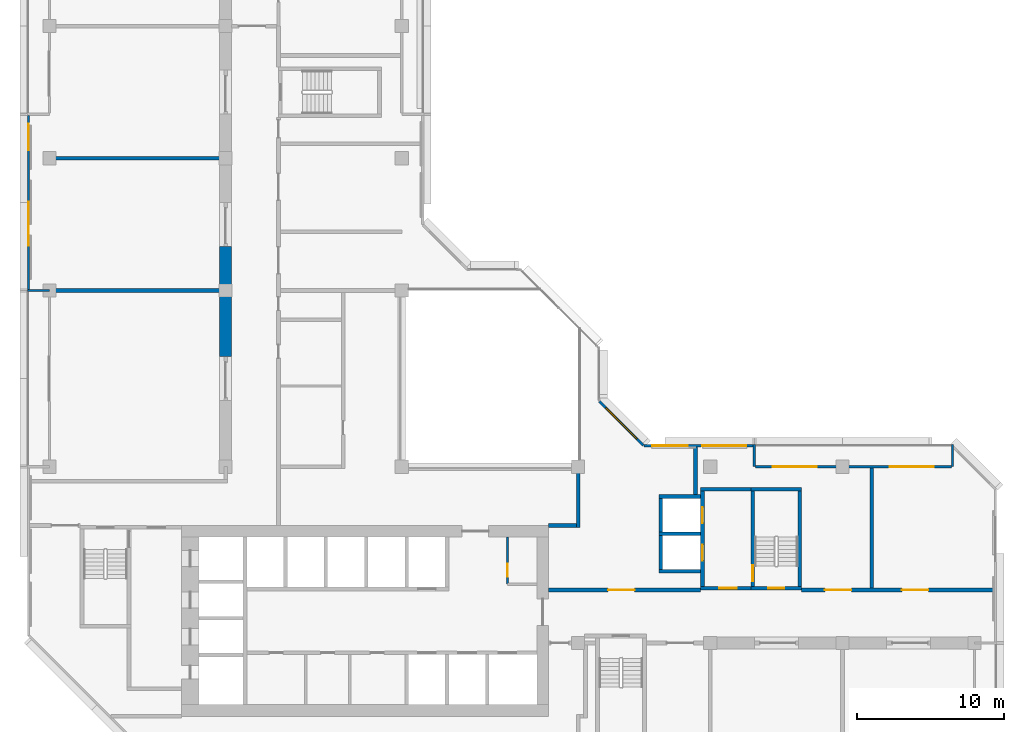
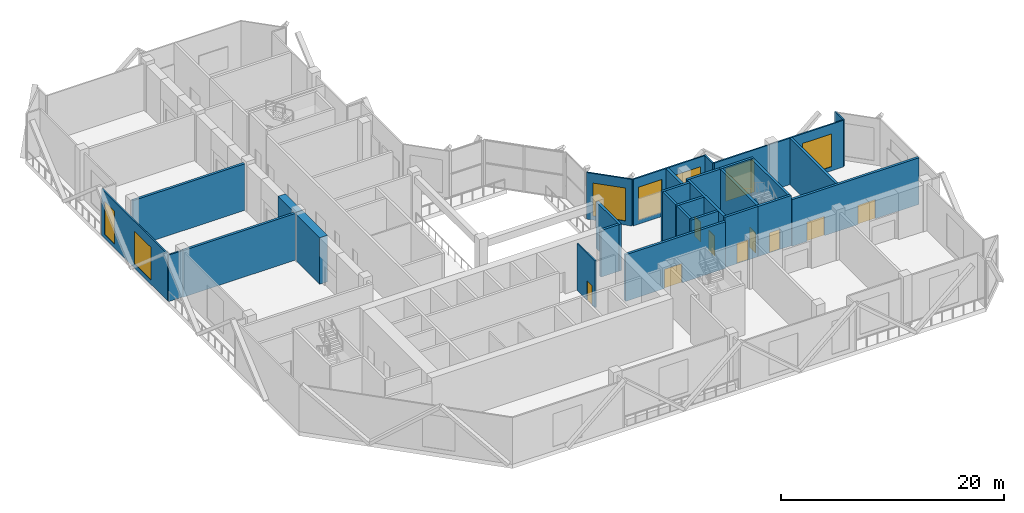
# One storey, part 6 of 11: 30 walls, 9 doors, 7 windows, 16 openings.
"""IFC4 building model written with IfcOpenShell, lengths in metres."""

from ifc_helpers import new_model, si_unit, direction, frame, frame_2d, origin, place, context, subcontext, project, spatial, rectangle, extrude, material, layer, layer_set, type_object, element, fill, save


model = new_model("IFC4")

# Units and contexts
model_context = context("Model", 3, precision=1e-05, world=origin(), true_north=direction((0.0, 1.0)))
body_context = subcontext(model_context, "Body", "Model", "MODEL_VIEW")
ifc_project = project(units=[si_unit("LENGTHUNIT", "METRE"), si_unit("AREAUNIT", "SQUARE_METRE"), si_unit("VOLUMEUNIT", "CUBIC_METRE"), si_unit("PLANEANGLEUNIT", "RADIAN"), si_unit("MASSUNIT", "GRAM", prefix="KILO")], contexts=[model_context])

# Site, building, storey
site_placement = place(None, origin())
site = spatial("IfcSite", under=ifc_project, at=site_placement, CompositionType="ELEMENT")
building_placement = place(site_placement, origin())
building = spatial("IfcBuilding", under=site, at=building_placement, Name="Chenar Terraces", CompositionType="ELEMENT")
storey_placement = place(building_placement, frame((0.0, 0.0, 206.14990234375)))
storey = spatial("IfcBuildingStorey", under=building, at=storey_placement, Name="L48", CompositionType="ELEMENT", Elevation=206.14990234375)

# Walls
ifc_material_1 = material(Name="Concrete C60/75", Category="concrete")
ifc_layer_1 = layer(ifc_material_1, 0.800048828125)
ifc_layer_set_1 = layer_set([ifc_layer_1], Name="Concrete C60/75")
wall_type_1 = type_object("IfcWallType", Name="Belt wall 800 Concrete C60/75", PredefinedType="SHEAR", material=ifc_layer_set_1)
wall_1_placement = place(storey_placement, frame((12.0, 31.5, 0.0), z_axis=(0.0, 0.0, 1.0), x_axis=(0.0, 1.0, 0.0)))
element("IfcWall", 1, at=wall_1_placement, inside=storey, type_object=wall_type_1, Name="Belt wall L48 B1", PredefinedType="SHEAR", context=body_context, shape_type="SweptSolid", body=[
    extrude(rectangle(XDim=4.5, YDim=0.800048828125, at=frame_2d((2.25, 0.0))), origin(), (0.0, 0.0, 1.0), 5.10009765625),
])
wall_2_placement = place(storey_placement, frame((12.0, 36.0, 0.0), z_axis=(0.0, 0.0, 1.0), x_axis=(0.0, 1.0, 0.0)))
element("IfcWall", 2, at=wall_2_placement, inside=storey, type_object=wall_type_1, Name="Belt wall L48 B2", PredefinedType="SHEAR", context=body_context, shape_type="SweptSolid", body=[
    extrude(rectangle(XDim=3.0, YDim=0.800048828125, at=frame_2d((1.5, 0.0))), origin(), (0.0, 0.0, 1.0), 5.10009765625),
])

# Wall, opening, door
ifc_material_2 = material(Name="Gypsum board on steel studs", Category="steel")
ifc_layer_2 = layer(ifc_material_2, 0.14990234375)
ifc_layer_set_2 = layer_set([ifc_layer_2], Name="Gypsum board on steel studs")
wall_type_2 = type_object("IfcWallType", Name="Core partition 150 gypsum board", PredefinedType="PARTITIONING", material=ifc_layer_set_2)
wall_3_placement = place(storey_placement, frame((31.199951171875, 16.0, 0.0), z_axis=(0.0, 0.0, 1.0), x_axis=(0.0, 1.0, 0.0)))
wall_3 = element("IfcWall", 3, at=wall_3_placement, inside=storey, type_object=wall_type_2, Name="Core partition CP1 vestibule room west wall", PredefinedType="PARTITIONING", context=body_context, shape_type="SweptSolid", body=[
    extrude(rectangle(XDim=3.199951171875, YDim=0.14990234375, at=frame_2d((1.60009765625, 0.0))), origin(), (0.0, 0.0, 1.0), 5.10009765625),
])
opening_1_placement = place(wall_3_placement, frame((0.5, 0.0, 0.0)))
opening_1 = element("IfcOpeningElement", 4, at=opening_1_placement, cuts=wall_3, Name="Opening DL48-C15", PredefinedType="OPENING", context=body_context, shape_type="SweptSolid", body=[
    extrude(rectangle(XDim=0.89990234375, YDim=2.10009765625, at=frame_2d((0.449951171875, 1.050048828125))), frame((0.0, 0.0849609375, 0.0), z_axis=(0.0, -1.0, 0.0), x_axis=(1.0, 0.0, 0.0)), (0.0, 0.0, 1.0), 0.169921875),
])
ifc_material_3 = material(Name="Steel-framed fire-resisting door leaf", Category="steel")
door_type_1 = type_object("IfcDoorType", Name="Riser fire door FD60 900 x 2100", OperationType="SINGLE_SWING_LEFT", PredefinedType="DOOR", material=ifc_material_3)
door_1_placement = place(opening_1_placement, frame((0.89990234375, 0.0, 0.0), z_axis=(0.0, 0.0, 1.0), x_axis=(-1.0, 0.0, 0.0)))
door_1 = element("IfcDoor", 5, at=door_1_placement, inside=storey, type_object=door_type_1, Name="Core room door DL48-C15", OperationType="SINGLE_SWING_RIGHT", OverallHeight=2.10009765625, OverallWidth=0.89990234375, PredefinedType="DOOR", context=body_context, shape_type="SweptSolid", body=[
    extrude(rectangle(XDim=0.89990234375, YDim=2.10009765625, at=frame_2d((0.449951171875, 1.050048828125))), frame((0.0, 0.02490234375, 0.0), z_axis=(0.0, -1.0, 0.0), x_axis=(1.0, 0.0, 0.0)), (0.0, 0.0, 1.0), 0.050048828125),
])
fill(opening_1, door_1)

ifc_material_4 = material(Name="Concrete C60/75", Category="concrete")
ifc_layer_3 = layer(ifc_material_4, 0.25)
ifc_layer_set_3 = layer_set([ifc_layer_3], Name="Concrete C60/75")
wall_type_3 = type_object("IfcWallType", Name="Core wall 250 Concrete C60/75", PredefinedType="SHEAR", material=ifc_layer_set_3)
wall_4_placement = place(storey_placement, frame((47.77490234375, 15.72509765625, 0.0), z_axis=(0.0, 0.0, 1.0), x_axis=(1.0, 0.0, 0.0)))
wall_4 = element("IfcWall", 6, at=wall_4_placement, inside=storey, type_object=wall_type_3, Name="Core wall ST3_S L48", PredefinedType="SHEAR", context=body_context, shape_type="SweptSolid", body=[
    extrude(rectangle(XDim=3.4501953125, YDim=0.25, at=frame_2d((1.72509765625, 0.0))), origin(), (0.0, 0.0, 1.0), 5.5),
])
opening_2_placement = place(wall_4_placement, frame((1.175048828125, 0.0, 0.0)))
opening_2 = element("IfcOpeningElement", 7, at=opening_2_placement, cuts=wall_4, Name="Opening DL48-C8", PredefinedType="OPENING", context=body_context, shape_type="SweptSolid", body=[
    extrude(rectangle(XDim=1.10009765625, YDim=2.199951171875, at=frame_2d((0.550048828125, 1.10009765625))), frame((0.0, 0.135009765625, 0.0), z_axis=(0.0, -1.0, 0.0), x_axis=(1.0, 0.0, 0.0)), (0.0, 0.0, 1.0), 0.27001953125),
])
ifc_material_5 = material(Name="Steel-framed fire-resisting door leaf", Category="steel")
door_type_2 = type_object("IfcDoorType", Name="Stair fire door FD60 1100 x 2200", OperationType="SINGLE_SWING_LEFT", PredefinedType="DOOR", material=ifc_material_5)
door_2_placement = place(opening_2_placement, frame((1.10009765625, 0.0, 0.0), z_axis=(0.0, 0.0, 1.0), x_axis=(-1.0, 0.0, 0.0)))
door_2 = element("IfcDoor", 8, at=door_2_placement, inside=storey, type_object=door_type_2, Name="Stair door DL48-C8", OperationType="SINGLE_SWING_LEFT", OverallHeight=2.199951171875, OverallWidth=1.10009765625, PredefinedType="DOOR", context=body_context, shape_type="SweptSolid", body=[
    extrude(rectangle(XDim=1.10009765625, YDim=2.199951171875, at=frame_2d((0.550048828125, 1.10009765625))), frame((0.0, 0.02490234375, 0.0), z_axis=(0.0, -1.0, 0.0), x_axis=(1.0, 0.0, 0.0)), (0.0, 0.0, 1.0), 0.050048828125),
])
fill(opening_2, door_2)

# Wall
wall_5_placement = place(storey_placement, frame((47.77490234375, 22.47509765625, 0.0), z_axis=(0.0, 0.0, 1.0), x_axis=(1.0, 0.0, 0.0)))
element("IfcWall", 9, at=wall_5_placement, inside=storey, type_object=wall_type_3, Name="Core wall ST3_N L48", PredefinedType="SHEAR", context=body_context, shape_type="SweptSolid", body=[
    extrude(rectangle(XDim=3.4501953125, YDim=0.25, at=frame_2d((1.72509765625, 0.0))), origin(), (0.0, 0.0, 1.0), 5.5),
])

# Wall, opening, door
wall_6_placement = place(storey_placement, frame((47.89990234375, 15.85009765625, 0.0), z_axis=(0.0, 0.0, 1.0), x_axis=(0.0, 1.0, 0.0)))
wall_6 = element("IfcWall", 10, at=wall_6_placement, inside=storey, type_object=wall_type_3, Name="Core wall ST3_W L48", PredefinedType="SHEAR", context=body_context, shape_type="SweptSolid", body=[
    extrude(rectangle(XDim=6.5, YDim=0.25, at=frame_2d((3.25, 0.0))), origin(), (0.0, 0.0, 1.0), 5.5),
])
opening_3_placement = place(wall_6_placement, frame((0.35009765625, 0.0, 0.0)))
opening_3 = element("IfcOpeningElement", 11, at=opening_3_placement, cuts=wall_6, Name="Opening DL48-C11", PredefinedType="OPENING", context=body_context, shape_type="SweptSolid", body=[
    extrude(rectangle(XDim=1.10009765625, YDim=2.199951171875, at=frame_2d((0.550048828125, 1.10009765625))), frame((0.0, 0.135009765625, 0.0), z_axis=(0.0, -1.0, 0.0), x_axis=(1.0, 0.0, 0.0)), (0.0, 0.0, 1.0), 0.27001953125),
])
door_3_placement = place(opening_3_placement, frame((1.10009765625, 0.0, 0.0), z_axis=(0.0, 0.0, 1.0), x_axis=(-1.0, 0.0, 0.0)))
door_3 = element("IfcDoor", 12, at=door_3_placement, inside=storey, type_object=door_type_2, Name="Stair door DL48-C11", OperationType="SINGLE_SWING_RIGHT", OverallHeight=2.199951171875, OverallWidth=1.10009765625, PredefinedType="DOOR", context=body_context, shape_type="SweptSolid", body=[
    extrude(rectangle(XDim=1.10009765625, YDim=2.199951171875, at=frame_2d((0.550048828125, 1.10009765625))), frame((0.0, 0.02490234375, 0.0), z_axis=(0.0, -1.0, 0.0), x_axis=(1.0, 0.0, 0.0)), (0.0, 0.0, 1.0), 0.050048828125),
])
fill(opening_3, door_3)

# Wall
wall_7_placement = place(storey_placement, frame((51.10009765625, 15.85009765625, 0.0), z_axis=(0.0, 0.0, 1.0), x_axis=(0.0, 1.0, 0.0)))
element("IfcWall", 13, at=wall_7_placement, inside=storey, type_object=wall_type_3, Name="Core wall ST3_E L48", PredefinedType="SHEAR", context=body_context, shape_type="SweptSolid", body=[
    extrude(rectangle(XDim=6.5, YDim=0.25, at=frame_2d((3.25, 0.0))), origin(), (0.0, 0.0, 1.0), 5.5),
])

# Wall, opening, door
wall_8_placement = place(storey_placement, frame((44.35009765625, 15.72509765625, 0.0), z_axis=(0.0, 0.0, 1.0), x_axis=(1.0, 0.0, 0.0)))
wall_8 = element("IfcWall", 14, at=wall_8_placement, inside=storey, type_object=wall_type_3, Name="Core wall F3_LS L48", PredefinedType="SHEAR", context=body_context, shape_type="SweptSolid", body=[
    extrude(rectangle(XDim=3.4248046875, YDim=0.25, at=frame_2d((1.71240234375, 0.0))), origin(), (0.0, 0.0, 1.0), 5.5),
])
opening_4_placement = place(wall_8_placement, frame((1.25, 0.0, 0.0)))
opening_4 = element("IfcOpeningElement", 15, at=opening_4_placement, cuts=wall_8, Name="Opening DL48-C10", PredefinedType="OPENING", context=body_context, shape_type="SweptSolid", body=[
    extrude(rectangle(XDim=1.199951171875, YDim=2.199951171875, at=frame_2d((0.60009765625, 1.10009765625))), frame((0.0, 0.135009765625, 0.0), z_axis=(0.0, -1.0, 0.0), x_axis=(1.0, 0.0, 0.0)), (0.0, 0.0, 1.0), 0.27001953125),
])
ifc_material_6 = material(Name="Steel-framed fire-resisting door leaf", Category="steel")
door_type_3 = type_object("IfcDoorType", Name="Lobby fire door FD60 1200 x 2200", OperationType="SINGLE_SWING_LEFT", PredefinedType="DOOR", material=ifc_material_6)
door_4_placement = place(opening_4_placement, origin())
door_4 = element("IfcDoor", 16, at=door_4_placement, inside=storey, type_object=door_type_3, Name="Core door DL48-C10", OperationType="SINGLE_SWING_RIGHT", OverallHeight=2.199951171875, OverallWidth=1.199951171875, PredefinedType="DOOR", context=body_context, shape_type="SweptSolid", body=[
    extrude(rectangle(XDim=1.199951171875, YDim=2.199951171875, at=frame_2d((0.60009765625, 1.10009765625))), frame((0.0, 0.02490234375, 0.0), z_axis=(0.0, -1.0, 0.0), x_axis=(1.0, 0.0, 0.0)), (0.0, 0.0, 1.0), 0.050048828125),
])
fill(opening_4, door_4)

# Wall
wall_9_placement = place(storey_placement, frame((44.35009765625, 22.47509765625, 0.0), z_axis=(0.0, 0.0, 1.0), x_axis=(1.0, 0.0, 0.0)))
element("IfcWall", 17, at=wall_9_placement, inside=storey, type_object=wall_type_3, Name="Core wall F3_LN L48", PredefinedType="SHEAR", context=body_context, shape_type="SweptSolid", body=[
    extrude(rectangle(XDim=3.4248046875, YDim=0.25, at=frame_2d((1.71240234375, 0.0))), origin(), (0.0, 0.0, 1.0), 5.5),
])

# Wall, openings, doors
wall_10_placement = place(storey_placement, frame((44.47509765625, 15.85009765625, 0.0), z_axis=(0.0, 0.0, 1.0), x_axis=(0.0, 1.0, 0.0)))
wall_10 = element("IfcWall", 18, at=wall_10_placement, inside=storey, type_object=wall_type_3, Name="Core wall F3_LW L48", PredefinedType="SHEAR", context=body_context, shape_type="SweptSolid", body=[
    extrude(rectangle(XDim=6.5, YDim=0.25, at=frame_2d((3.25, 0.0))), origin(), (0.0, 0.0, 1.0), 5.5),
])
opening_5_placement = place(wall_10_placement, frame((1.75, 0.0, 0.0)))
opening_5 = element("IfcOpeningElement", 19, at=opening_5_placement, cuts=wall_10, Name="Opening DL48-LD8", PredefinedType="OPENING", context=body_context, shape_type="SweptSolid", body=[
    extrude(rectangle(XDim=1.10009765625, YDim=2.199951171875, at=frame_2d((0.550048828125, 1.10009765625))), frame((0.0, 0.135009765625, 0.0), z_axis=(0.0, -1.0, 0.0), x_axis=(1.0, 0.0, 0.0)), (0.0, 0.0, 1.0), 0.27001953125),
])
opening_6_placement = place(wall_10_placement, frame((4.300048828125, 0.0, 0.0)))
opening_6 = element("IfcOpeningElement", 20, at=opening_6_placement, cuts=wall_10, Name="Opening DL48-LD9", PredefinedType="OPENING", context=body_context, shape_type="SweptSolid", body=[
    extrude(rectangle(XDim=1.10009765625, YDim=2.199951171875, at=frame_2d((0.550048828125, 1.10009765625))), frame((0.0, 0.135009765625, 0.0), z_axis=(0.0, -1.0, 0.0), x_axis=(1.0, 0.0, 0.0)), (0.0, 0.0, 1.0), 0.27001953125),
])
ifc_material_7 = material(Name="Stainless steel", Category="steel")
door_type_4 = type_object("IfcDoorType", Name="Lift landing door 1100 x 2200 sliding", OperationType="DOUBLE_DOOR_SLIDING", PredefinedType="DOOR", material=ifc_material_7)
door_5_placement = place(opening_5_placement, origin())
door_5 = element("IfcDoor", 21, at=door_5_placement, inside=storey, type_object=door_type_4, Name="Landing door F3", OperationType="DOUBLE_DOOR_SLIDING", OverallHeight=2.199951171875, OverallWidth=1.10009765625, PredefinedType="DOOR", context=body_context, shape_type="SweptSolid", body=[
    extrude(rectangle(XDim=1.10009765625, YDim=2.199951171875, at=frame_2d((0.550048828125, 1.10009765625))), frame((0.0, 0.02490234375, 0.0), z_axis=(0.0, -1.0, 0.0), x_axis=(1.0, 0.0, 0.0)), (0.0, 0.0, 1.0), 0.050048828125),
])
fill(opening_5, door_5)
door_6_placement = place(opening_6_placement, origin())
door_6 = element("IfcDoor", 22, at=door_6_placement, inside=storey, type_object=door_type_4, Name="Landing door F4", OperationType="DOUBLE_DOOR_SLIDING", OverallHeight=2.199951171875, OverallWidth=1.10009765625, PredefinedType="DOOR", context=body_context, shape_type="SweptSolid", body=[
    extrude(rectangle(XDim=1.10009765625, YDim=2.199951171875, at=frame_2d((0.550048828125, 1.10009765625))), frame((0.0, 0.02490234375, 0.0), z_axis=(0.0, -1.0, 0.0), x_axis=(1.0, 0.0, 0.0)), (0.0, 0.0, 1.0), 0.050048828125),
])
fill(opening_6, door_6)

# Walls
for number, where, z_axis, x_axis, name in (
    (23, (41.5, 16.875, 0.0), (0.0, 0.0, 1.0), (1.0, 0.0, 0.0), "Core wall F3_SS L48"),
    (24, (41.5, 19.425048828125, 0.0), (0.0, 0.0, 1.0), (1.0, 0.0, 0.0), "Core wall F3_SM L48"),
    (25, (41.5, 21.97509765625, 0.0), (0.0, 0.0, 1.0), (1.0, 0.0, 0.0), "Core wall F4_SN L48"),
):
    element("IfcWall", number, at=place(storey_placement, frame(where, z_axis=z_axis, x_axis=x_axis)), inside=storey, type_object=wall_type_3, Name=name, PredefinedType="SHEAR", context=body_context, shape_type="SweptSolid", body=[
        extrude(rectangle(XDim=2.85009765625, YDim=0.25, at=frame_2d((1.425048828125, 0.0))), origin(), (0.0, 0.0, 1.0), 5.5),
    ])
for number, where, z_axis, x_axis, name in (
    (26, (41.625, 17.0, 0.0), (0.0, 0.0, 1.0), (0.0, 1.0, 0.0), "Core wall F3_SW L48"),
    (27, (41.625, 19.550048828125, 0.0), (0.0, 0.0, 1.0), (0.0, 1.0, 0.0), "Core wall F4_SW L48"),
):
    element("IfcWall", number, at=place(storey_placement, frame(where, z_axis=z_axis, x_axis=x_axis)), inside=storey, type_object=wall_type_3, Name=name, PredefinedType="SHEAR", context=body_context, shape_type="SweptSolid", body=[
        extrude(rectangle(XDim=2.300048828125, YDim=0.25, at=frame_2d((1.14990234375, 0.0))), origin(), (0.0, 0.0, 1.0), 5.5),
    ])

# Wall, openings, windows
ifc_material_8 = material(Name="Aluminium framed glazing", Category="aluminium")
ifc_layer_4 = layer(ifc_material_8, 0.14990234375)
ifc_layer_set_4 = layer_set([ifc_layer_4], Name="Aluminium framed glazing")
wall_type_4 = type_object("IfcWallType", Name="Glazed flush facade wall 150", PredefinedType="SOLIDWALL", material=ifc_layer_set_4)
wall_11_placement = place(storey_placement, frame((47.925048828125, 25.425048828125, 0.0), z_axis=(0.0, 0.0, 1.0), x_axis=(-1.0, 0.0, 0.0)))
wall_11 = element("IfcWall", 28, at=wall_11_placement, inside=storey, type_object=wall_type_4, Name="Glazed flush facade wall", PredefinedType="SOLIDWALL", context=body_context, shape_type="SweptSolid", body=[
    extrude(rectangle(XDim=7.425048828125, YDim=0.14990234375, at=frame_2d((3.71240234375, 0.0))), origin(), (0.0, 0.0, 1.0), 5.10009765625),
])
opening_7_placement = place(wall_11_placement, frame((0.46240234375, 0.0, 0.449951171875)))
opening_7 = element("IfcOpeningElement", 29, at=opening_7_placement, cuts=wall_11, Name="Opening W300x360", PredefinedType="OPENING", context=body_context, shape_type="SweptSolid", body=[
    extrude(rectangle(XDim=3.0, YDim=3.60009765625, at=frame_2d((1.5, 1.800048828125))), frame((0.0, 0.0849609375, 0.0), z_axis=(0.0, -1.0, 0.0), x_axis=(1.0, 0.0, 0.0)), (0.0, 0.0, 1.0), 0.169921875),
])
opening_8_placement = place(wall_11_placement, frame((4.47509765625, 0.0, 0.449951171875)))
opening_8 = element("IfcOpeningElement", 30, at=opening_8_placement, cuts=wall_11, Name="Opening W240x360", PredefinedType="OPENING", context=body_context, shape_type="SweptSolid", body=[
    extrude(rectangle(XDim=2.39990234375, YDim=3.60009765625, at=frame_2d((1.199951171875, 1.800048828125))), frame((0.0, 0.0849609375, 0.0), z_axis=(0.0, -1.0, 0.0), x_axis=(1.0, 0.0, 0.0)), (0.0, 0.0, 1.0), 0.169921875),
])
ifc_material_9 = material(Name="Low emissivity double glazing, aluminium frame", Category="aluminium")
window_type_1 = type_object("IfcWindowType", Name="Fixed light 2400 x 3600", PartitioningType="SINGLE_PANEL", PredefinedType="WINDOW", material=ifc_material_9)
window_1_placement = place(opening_8_placement, origin())
window_1 = element("IfcWindow", 31, at=window_1_placement, inside=storey, type_object=window_type_1, Name="Window", OverallHeight=3.60009765625, OverallWidth=2.39990234375, PartitioningType="SINGLE_PANEL", PredefinedType="WINDOW", context=body_context, shape_type="SweptSolid", body=[
    extrude(rectangle(XDim=2.39990234375, YDim=3.60009765625, at=frame_2d((1.199951171875, 1.800048828125))), frame((0.0, 0.030029296875, 0.0), z_axis=(0.0, -1.0, 0.0), x_axis=(1.0, 0.0, 0.0)), (0.0, 0.0, 1.0), 0.06005859375),
])
fill(opening_8, window_1)
ifc_material_10 = material(Name="Low emissivity double glazing, aluminium frame", Category="aluminium")
window_type_2 = type_object("IfcWindowType", Name="Fixed light 3000 x 3600", PartitioningType="SINGLE_PANEL", PredefinedType="WINDOW", material=ifc_material_10)
window_2_placement = place(opening_7_placement, origin())
window_2 = element("IfcWindow", 32, at=window_2_placement, inside=storey, type_object=window_type_2, Name="Window", OverallHeight=3.60009765625, OverallWidth=3.0, PartitioningType="SINGLE_PANEL", PredefinedType="WINDOW", context=body_context, shape_type="SweptSolid", body=[
    extrude(rectangle(XDim=3.0, YDim=3.60009765625, at=frame_2d((1.5, 1.800048828125))), frame((0.0, 0.030029296875, 0.0), z_axis=(0.0, -1.0, 0.0), x_axis=(1.0, 0.0, 0.0)), (0.0, 0.0, 1.0), 0.06005859375),
])
fill(opening_7, window_2)

wall_12_placement = place(storey_placement, frame((-1.425048828125, 47.925048828125, 0.0), z_axis=(0.0, 0.0, 1.0), x_axis=(0.0, -1.0, 0.0)))
wall_12 = element("IfcWall", 33, at=wall_12_placement, inside=storey, type_object=wall_type_4, Name="Glazed flush facade wall", PredefinedType="SOLIDWALL", context=body_context, shape_type="SweptSolid", body=[
    extrude(rectangle(XDim=11.85009765625, YDim=0.14990234375, at=frame_2d((5.925048828125, 0.0))), origin(), (0.0, 0.0, 1.0), 5.10009765625),
])
opening_9_placement = place(wall_12_placement, frame((0.5625, 0.0, 0.449951171875)))
opening_9 = element("IfcOpeningElement", 34, at=opening_9_placement, cuts=wall_12, Name="Opening W180x360", PredefinedType="OPENING", context=body_context, shape_type="SweptSolid", body=[
    extrude(rectangle(XDim=1.800048828125, YDim=3.60009765625, at=frame_2d((0.89990234375, 1.800048828125))), frame((0.0, 0.0849609375, 0.0), z_axis=(0.0, -1.0, 0.0), x_axis=(1.0, 0.0, 0.0)), (0.0, 0.0, 1.0), 0.169921875),
])
opening_10_placement = place(wall_12_placement, frame((5.887451171875, 0.0, 0.449951171875)))
opening_10 = element("IfcOpeningElement", 35, at=opening_10_placement, cuts=wall_12, Name="Opening W300x360", PredefinedType="OPENING", context=body_context, shape_type="SweptSolid", body=[
    extrude(rectangle(XDim=3.0, YDim=3.60009765625, at=frame_2d((1.5, 1.800048828125))), frame((0.0, 0.0849609375, 0.0), z_axis=(0.0, -1.0, 0.0), x_axis=(1.0, 0.0, 0.0)), (0.0, 0.0, 1.0), 0.169921875),
])
ifc_material_11 = material(Name="Low emissivity double glazing, aluminium frame", Category="aluminium")
window_type_3 = type_object("IfcWindowType", Name="Fixed light 1800 x 3600", PartitioningType="SINGLE_PANEL", PredefinedType="WINDOW", material=ifc_material_11)
window_3_placement = place(opening_9_placement, origin())
window_3 = element("IfcWindow", 36, at=window_3_placement, inside=storey, type_object=window_type_3, Name="Window", OverallHeight=3.60009765625, OverallWidth=1.800048828125, PartitioningType="SINGLE_PANEL", PredefinedType="WINDOW", context=body_context, shape_type="SweptSolid", body=[
    extrude(rectangle(XDim=1.800048828125, YDim=3.60009765625, at=frame_2d((0.89990234375, 1.800048828125))), frame((0.0, 0.030029296875, 0.0), z_axis=(0.0, -1.0, 0.0), x_axis=(1.0, 0.0, 0.0)), (0.0, 0.0, 1.0), 0.06005859375),
])
fill(opening_9, window_3)
window_4_placement = place(opening_10_placement, origin())
window_4 = element("IfcWindow", 37, at=window_4_placement, inside=storey, type_object=window_type_2, Name="Window", OverallHeight=3.60009765625, OverallWidth=3.0, PartitioningType="SINGLE_PANEL", PredefinedType="WINDOW", context=body_context, shape_type="SweptSolid", body=[
    extrude(rectangle(XDim=3.0, YDim=3.60009765625, at=frame_2d((1.5, 1.800048828125))), frame((0.0, 0.030029296875, 0.0), z_axis=(0.0, -1.0, 0.0), x_axis=(1.0, 0.0, 0.0)), (0.0, 0.0, 1.0), 0.06005859375),
])
fill(opening_10, window_4)

ifc_material_12 = material(Name="Aluminium framed glazing", Category="aluminium")
ifc_layer_5 = layer(ifc_material_12, 0.14990234375)
ifc_layer_set_5 = layer_set([ifc_layer_5], Name="Aluminium framed glazing")
wall_type_5 = type_object("IfcWallType", Name="Glazed loggia back wall 150", PredefinedType="SOLIDWALL", material=ifc_layer_set_5)
wall_13_placement = place(storey_placement, frame((61.425048828125, 24.0, 0.0), z_axis=(0.0, 0.0, 1.0), x_axis=(-1.0, 0.0, 0.0)))
wall_13 = element("IfcWall", 38, at=wall_13_placement, inside=storey, type_object=wall_type_5, Name="Glazed loggia back wall", PredefinedType="SOLIDWALL", context=body_context, shape_type="SweptSolid", body=[
    extrude(rectangle(XDim=13.35009765625, YDim=0.14990234375, at=frame_2d((6.675048828125, 0.0))), origin(), (0.0, 0.0, 1.0), 5.10009765625),
])
opening_11_placement = place(wall_13_placement, frame((1.21240234375, 0.0, 0.449951171875)))
opening_11 = element("IfcOpeningElement", 39, at=opening_11_placement, cuts=wall_13, Name="Opening W300x360", PredefinedType="OPENING", context=body_context, shape_type="SweptSolid", body=[
    extrude(rectangle(XDim=3.0, YDim=3.60009765625, at=frame_2d((1.5, 1.800048828125))), frame((0.0, 0.0849609375, 0.0), z_axis=(0.0, -1.0, 0.0), x_axis=(1.0, 0.0, 0.0)), (0.0, 0.0, 1.0), 0.169921875),
])
opening_12_placement = place(wall_13_placement, frame((9.16259765625, 0.0, 0.449951171875)))
opening_12 = element("IfcOpeningElement", 40, at=opening_12_placement, cuts=wall_13, Name="Opening W300x360", PredefinedType="OPENING", context=body_context, shape_type="SweptSolid", body=[
    extrude(rectangle(XDim=3.0, YDim=3.60009765625, at=frame_2d((1.5, 1.800048828125))), frame((0.0, 0.0849609375, 0.0), z_axis=(0.0, -1.0, 0.0), x_axis=(1.0, 0.0, 0.0)), (0.0, 0.0, 1.0), 0.169921875),
])
window_5_placement = place(opening_11_placement, origin())
window_5 = element("IfcWindow", 41, at=window_5_placement, inside=storey, type_object=window_type_2, Name="Window", OverallHeight=3.60009765625, OverallWidth=3.0, PartitioningType="SINGLE_PANEL", PredefinedType="WINDOW", context=body_context, shape_type="SweptSolid", body=[
    extrude(rectangle(XDim=3.0, YDim=3.60009765625, at=frame_2d((1.5, 1.800048828125))), frame((0.0, 0.030029296875, 0.0), z_axis=(0.0, -1.0, 0.0), x_axis=(1.0, 0.0, 0.0)), (0.0, 0.0, 1.0), 0.06005859375),
])
fill(opening_11, window_5)
window_6_placement = place(opening_12_placement, origin())
window_6 = element("IfcWindow", 42, at=window_6_placement, inside=storey, type_object=window_type_2, Name="Window", OverallHeight=3.60009765625, OverallWidth=3.0, PartitioningType="SINGLE_PANEL", PredefinedType="WINDOW", context=body_context, shape_type="SweptSolid", body=[
    extrude(rectangle(XDim=3.0, YDim=3.60009765625, at=frame_2d((1.5, 1.800048828125))), frame((0.0, 0.030029296875, 0.0), z_axis=(0.0, -1.0, 0.0), x_axis=(1.0, 0.0, 0.0)), (0.0, 0.0, 1.0), 0.06005859375),
])
fill(opening_12, window_6)

# Walls
ifc_material_13 = material(Name="Terracotta cladding on insulated backing", Category="masonry")
ifc_layer_6 = layer(ifc_material_13, 0.14990234375)
ifc_layer_set_6 = layer_set([ifc_layer_6], Name="Terracotta cladding on insulated backing")
wall_type_6 = type_object("IfcWallType", Name="Loggia return wall 150", PredefinedType="SOLIDWALL", material=ifc_layer_set_6)
for number, where, z_axis, x_axis, name in (
    (43, (61.5, 25.5, 0.0), (0.0, 0.0, 1.0), (0.0, -1.0, 0.0), "Loggia return wall"),
    (44, (48.0, 25.5, 0.0), (0.0, 0.0, 1.0), (0.0, -1.0, 0.0), "Loggia return wall"),
    (45, (-1.5, 36.0, 0.0), (0.0, 0.0, 1.0), (1.0, 0.0, 0.0), "Loggia return wall"),
):
    element("IfcWall", number, at=place(storey_placement, frame(where, z_axis=z_axis, x_axis=x_axis)), inside=storey, type_object=wall_type_6, Name=name, PredefinedType="SOLIDWALL", context=body_context, shape_type="SweptSolid", body=[
        extrude(rectangle(XDim=1.5, YDim=0.14990234375, at=frame_2d((0.75, 0.0))), origin(), (0.0, 0.0, 1.0), 5.10009765625),
    ])
ifc_material_14 = material(Name="Fire-board and steel stud wall with mineral wool", Category="steel")
ifc_layer_7 = layer(ifc_material_14, 0.25)
ifc_layer_set_7 = layer_set([ifc_layer_7], Name="Fire-board and steel stud wall with mineral wool")
wall_type_7 = type_object("IfcWallType", Name="Refuge compartment wall 250", PredefinedType="PARTITIONING", material=ifc_layer_set_7)
wall_14_placement = place(storey_placement, frame((0.0, 36.0, 0.0), z_axis=(0.0, 0.0, 1.0), x_axis=(1.0, 0.0, 0.0)))
element("IfcWall", 46, at=wall_14_placement, inside=storey, type_object=wall_type_7, Name="Partition L48-003", PredefinedType="PARTITIONING", context=body_context, shape_type="SweptSolid", body=[
    extrude(rectangle(XDim=11.60107421875, YDim=0.25, at=frame_2d((5.800537109375, 0.0))), origin(), (0.0, 0.0, 1.0), 5.10009765625),
])
wall_15_placement = place(storey_placement, frame((0.0, 45.0, 0.0), z_axis=(0.0, 0.0, 1.0), x_axis=(1.0, 0.0, 0.0)))
element("IfcWall", 47, at=wall_15_placement, inside=storey, type_object=wall_type_7, Name="Partition L48-004", PredefinedType="PARTITIONING", context=body_context, shape_type="SweptSolid", body=[
    extrude(rectangle(XDim=11.60107421875, YDim=0.25, at=frame_2d((5.800537109375, 0.0))), origin(), (0.0, 0.0, 1.0), 5.10009765625),
])

# Wall, opening, door
wall_16_placement = place(storey_placement, frame((34.0, 15.60009765625, 0.0), z_axis=(0.0, 0.0, 1.0), x_axis=(1.0, 0.0, 0.0)))
wall_16 = element("IfcWall", 48, at=wall_16_placement, inside=storey, type_object=wall_type_7, Name="Partition L48-027", PredefinedType="PARTITIONING", context=body_context, shape_type="SweptSolid", body=[
    extrude(rectangle(XDim=10.35009765625, YDim=0.25, at=frame_2d((5.175048828125, 0.0))), origin(), (0.0, 0.0, 1.0), 5.10009765625),
])
opening_13_placement = place(wall_16_placement, frame((4.050048828125, 0.0, 0.0)))
opening_13 = element("IfcOpeningElement", 49, at=opening_13_placement, cuts=wall_16, Name="Opening DL48-1", PredefinedType="OPENING", context=body_context, shape_type="SweptSolid", body=[
    extrude(rectangle(XDim=1.800048828125, YDim=2.10009765625, at=frame_2d((0.89990234375, 1.050048828125))), frame((0.0, 0.135009765625, 0.0), z_axis=(0.0, -1.0, 0.0), x_axis=(1.0, 0.0, 0.0)), (0.0, 0.0, 1.0), 0.27001953125),
])
ifc_material_15 = material(Name="Steel-framed fire-resisting door leaf", Category="steel")
door_type_5 = type_object("IfcDoorType", Name="Fire double door FD120 1800 x 2100", OperationType="DOUBLE_DOOR_SINGLE_SWING", PredefinedType="DOOR", material=ifc_material_15)
door_7_placement = place(opening_13_placement, origin())
door_7 = element("IfcDoor", 50, at=door_7_placement, inside=storey, type_object=door_type_5, Name="Door DL48-1", OperationType="DOUBLE_DOOR_SINGLE_SWING", OverallHeight=2.10009765625, OverallWidth=1.800048828125, PredefinedType="DOOR", context=body_context, shape_type="SweptSolid", body=[
    extrude(rectangle(XDim=1.800048828125, YDim=2.10009765625, at=frame_2d((0.89990234375, 1.050048828125))), frame((0.0, 0.02490234375, 0.0), z_axis=(0.0, -1.0, 0.0), x_axis=(1.0, 0.0, 0.0)), (0.0, 0.0, 1.0), 0.050048828125),
])
fill(opening_13, door_7)

# Walls
wall_17_placement = place(storey_placement, frame((34.0, 20.0, 0.0), z_axis=(0.0, 0.0, 1.0), x_axis=(1.0, 0.0, 0.0)))
element("IfcWall", 51, at=wall_17_placement, inside=storey, type_object=wall_type_7, Name="Partition L48-028", PredefinedType="PARTITIONING", context=body_context, shape_type="SweptSolid", body=[
    extrude(rectangle(XDim=1.875, YDim=0.25, at=frame_2d((0.9375, 0.0))), origin(), (0.0, 0.0, 1.0), 5.10009765625),
])
wall_18_placement = place(storey_placement, frame((36.0, 19.875, 0.0), z_axis=(0.0, 0.0, 1.0), x_axis=(0.0, 1.0, 0.0)))
element("IfcWall", 52, at=wall_18_placement, inside=storey, type_object=wall_type_7, Name="Partition L48-030", PredefinedType="PARTITIONING", context=body_context, shape_type="SweptSolid", body=[
    extrude(rectangle(XDim=4.125, YDim=0.25, at=frame_2d((2.0625, 0.0))), origin(), (0.0, 0.0, 1.0), 5.10009765625),
])
wall_19_placement = place(storey_placement, frame((44.0, 22.10009765625, 0.0), z_axis=(0.0, 0.0, 1.0), x_axis=(0.0, 1.0, 0.0)))
element("IfcWall", 53, at=wall_19_placement, inside=storey, type_object=wall_type_7, Name="Partition L48-034", PredefinedType="PARTITIONING", context=body_context, shape_type="SweptSolid", body=[
    extrude(rectangle(XDim=3.25, YDim=0.25, at=frame_2d((1.625, 0.0))), origin(), (0.0, 0.0, 1.0), 5.10009765625),
])

# Wall, openings, doors
wall_20_placement = place(storey_placement, frame((51.22509765625, 15.60009765625, 0.0), z_axis=(0.0, 0.0, 1.0), x_axis=(1.0, 0.0, 0.0)))
wall_20 = element("IfcWall", 54, at=wall_20_placement, inside=storey, type_object=wall_type_7, Name="Partition L48-037", PredefinedType="PARTITIONING", context=body_context, shape_type="SweptSolid", body=[
    extrude(rectangle(XDim=13.125, YDim=0.25, at=frame_2d((6.5625, 0.0))), origin(), (0.0, 0.0, 1.0), 5.10009765625),
])
opening_14_placement = place(wall_20_placement, frame((1.574951171875, 0.0, 0.0)))
opening_14 = element("IfcOpeningElement", 55, at=opening_14_placement, cuts=wall_20, Name="Opening DL48-2", PredefinedType="OPENING", context=body_context, shape_type="SweptSolid", body=[
    extrude(rectangle(XDim=1.800048828125, YDim=2.10009765625, at=frame_2d((0.89990234375, 1.050048828125))), frame((0.0, 0.135009765625, 0.0), z_axis=(0.0, -1.0, 0.0), x_axis=(1.0, 0.0, 0.0)), (0.0, 0.0, 1.0), 0.27001953125),
])
opening_15_placement = place(wall_20_placement, frame((6.824951171875, 0.0, 0.0)))
opening_15 = element("IfcOpeningElement", 56, at=opening_15_placement, cuts=wall_20, Name="Opening DL48-3", PredefinedType="OPENING", context=body_context, shape_type="SweptSolid", body=[
    extrude(rectangle(XDim=1.800048828125, YDim=2.10009765625, at=frame_2d((0.89990234375, 1.050048828125))), frame((0.0, 0.135009765625, 0.0), z_axis=(0.0, -1.0, 0.0), x_axis=(1.0, 0.0, 0.0)), (0.0, 0.0, 1.0), 0.27001953125),
])
door_8_placement = place(opening_14_placement, origin())
door_8 = element("IfcDoor", 57, at=door_8_placement, inside=storey, type_object=door_type_5, Name="Door DL48-2", OperationType="DOUBLE_DOOR_SINGLE_SWING", OverallHeight=2.10009765625, OverallWidth=1.800048828125, PredefinedType="DOOR", context=body_context, shape_type="SweptSolid", body=[
    extrude(rectangle(XDim=1.800048828125, YDim=2.10009765625, at=frame_2d((0.89990234375, 1.050048828125))), frame((0.0, 0.02490234375, 0.0), z_axis=(0.0, -1.0, 0.0), x_axis=(1.0, 0.0, 0.0)), (0.0, 0.0, 1.0), 0.050048828125),
])
fill(opening_14, door_8)
door_9_placement = place(opening_15_placement, origin())
door_9 = element("IfcDoor", 58, at=door_9_placement, inside=storey, type_object=door_type_5, Name="Door DL48-3", OperationType="DOUBLE_DOOR_SINGLE_SWING", OverallHeight=2.10009765625, OverallWidth=1.800048828125, PredefinedType="DOOR", context=body_context, shape_type="SweptSolid", body=[
    extrude(rectangle(XDim=1.800048828125, YDim=2.10009765625, at=frame_2d((0.89990234375, 1.050048828125))), frame((0.0, 0.02490234375, 0.0), z_axis=(0.0, -1.0, 0.0), x_axis=(1.0, 0.0, 0.0)), (0.0, 0.0, 1.0), 0.050048828125),
])
fill(opening_15, door_9)

# Wall
wall_21_placement = place(storey_placement, frame((56.0, 15.72509765625, 0.0), z_axis=(0.0, 0.0, 1.0), x_axis=(0.0, 1.0, 0.0)))
element("IfcWall", 59, at=wall_21_placement, inside=storey, type_object=wall_type_7, Name="Partition L48-039", PredefinedType="PARTITIONING", context=body_context, shape_type="SweptSolid", body=[
    extrude(rectangle(XDim=8.200927734375, YDim=0.25, at=frame_2d((4.1005859375, 0.0))), origin(), (0.0, 0.0, 1.0), 5.10009765625),
])

# Wall, opening, window
ifc_material_16 = material(Name="Terracotta cladding on insulated backing", Category="masonry")
ifc_layer_8 = layer(ifc_material_16, 0.14990234375)
ifc_layer_set_8 = layer_set([ifc_layer_8], Name="Terracotta cladding on insulated backing")
wall_type_8 = type_object("IfcWallType", Name="Terracotta rainscreen wall 150", PredefinedType="SOLIDWALL", material=ifc_layer_set_8)
wall_22_placement = place(storey_placement, frame((40.447021484375, 25.447021484375, 0.0), z_axis=(0.0, 0.0, 1.0), x_axis=(-0.707106781187, 0.707106781187, 0.0)))
wall_22 = element("IfcWall", 60, at=wall_22_placement, inside=storey, type_object=wall_type_8, Name="Terracotta rainscreen wall", PredefinedType="SOLIDWALL", context=body_context, shape_type="SweptSolid", body=[
    extrude(rectangle(XDim=4.24267578125, YDim=0.14990234375, at=frame_2d((2.121337890625, 0.0))), origin(), (0.0, 0.0, 1.0), 5.10009765625),
])
opening_16_placement = place(wall_22_placement, frame((0.621337890625, 0.0, 0.449951171875)))
opening_16 = element("IfcOpeningElement", 61, at=opening_16_placement, cuts=wall_22, Name="Opening W300x360", PredefinedType="OPENING", context=body_context, shape_type="SweptSolid", body=[
    extrude(rectangle(XDim=3.0, YDim=3.60009765625, at=frame_2d((1.5, 1.800048828125))), frame((0.0, 0.0849609375, 0.0), z_axis=(0.0, -1.0, 0.0), x_axis=(1.0, 0.0, 0.0)), (0.0, 0.0, 1.0), 0.169921875),
])
window_7_placement = place(opening_16_placement, origin())
window_7 = element("IfcWindow", 62, at=window_7_placement, inside=storey, type_object=window_type_2, Name="Window", OverallHeight=3.60009765625, OverallWidth=3.0, PartitioningType="SINGLE_PANEL", PredefinedType="WINDOW", context=body_context, shape_type="SweptSolid", body=[
    extrude(rectangle(XDim=3.0, YDim=3.60009765625, at=frame_2d((1.5, 1.800048828125))), frame((0.0, 0.030029296875, 0.0), z_axis=(0.0, -1.0, 0.0), x_axis=(1.0, 0.0, 0.0)), (0.0, 0.0, 1.0), 0.06005859375),
])
fill(opening_16, window_7)

save(model, "model.ifc")
